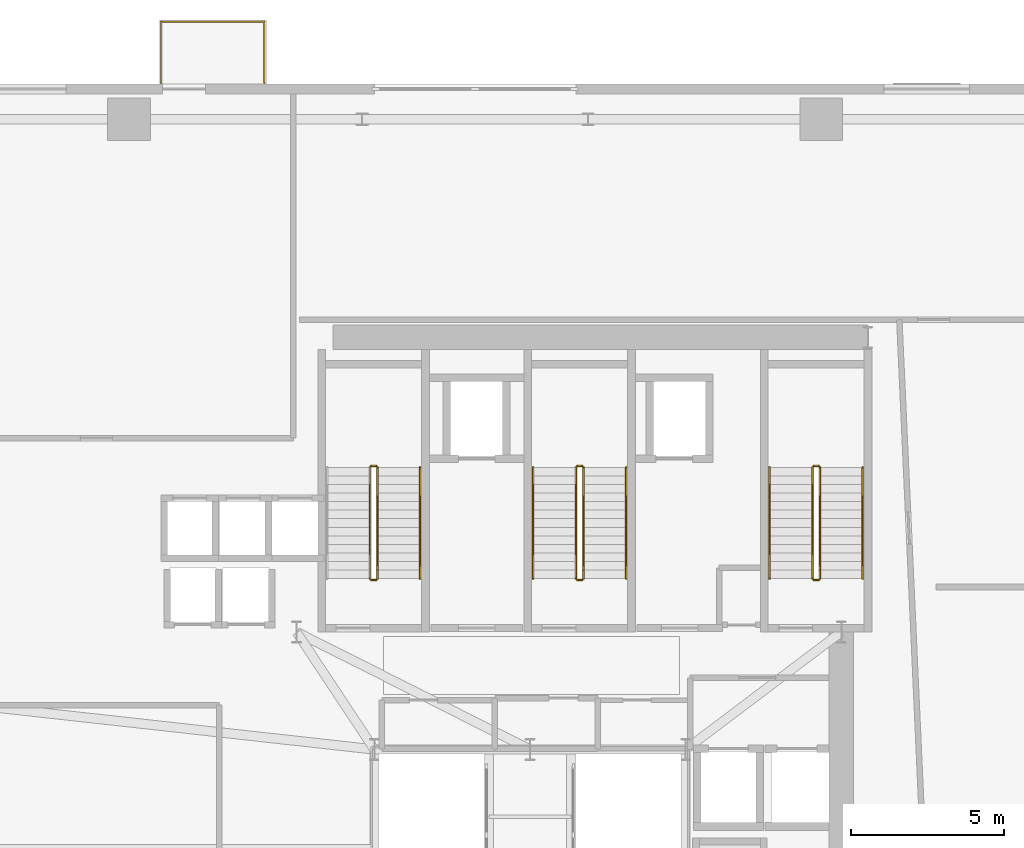
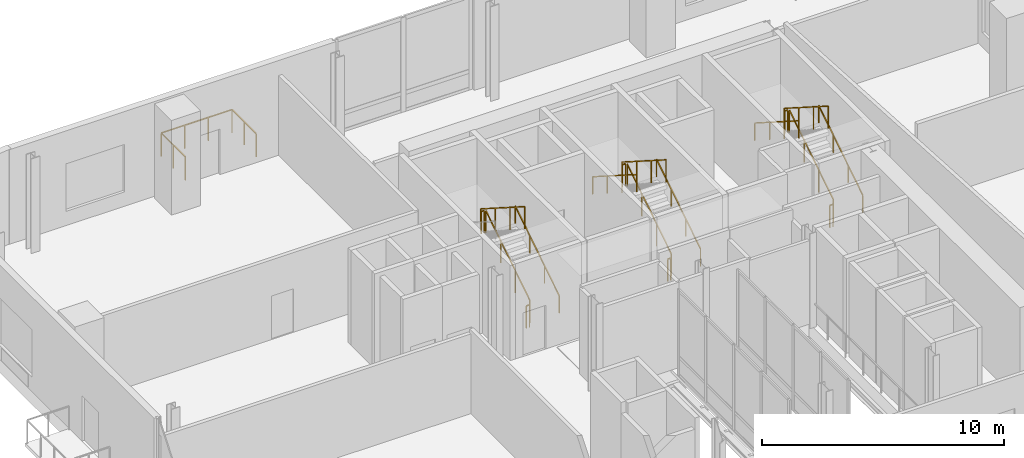
# One storey, part 13 of 14: 18 railings.
"""IFC4 building model written with IfcOpenShell, lengths in metres."""

import ifcopenshell
import ifcopenshell.guid

model = None  # the IFC model being written
_history = None  # IfcOwnerHistory: only IFC2X3 demands one
_inside = {}  # id of a spatial element -> (the spatial element, [elements in it])
_under = {}  # id of a project, library or spatial element -> (it, [spatial elements below it])
_declared = {}  # id of a project -> (the project, [libraries it declares])
_typed = {}  # id of a type object -> (the type object, [elements of that type])
_made_of = {}  # id of a material, layer set ... -> (it, [elements and type objects made of it])


def new_model(schema):
    """Start an empty IFC model of exactly this schema.

    Asked for "IFC4X3", IfcOpenShell would pick the latest addendum, in which some entities
    have other attributes; the version numbers below select the first issue.
    IFC2X3 requires an IfcOwnerHistory on every rooted entity: one is made here for all.
    """
    global model, _history
    if schema == "IFC4X3":
        model = ifcopenshell.file(schema_version=(4, 3, 0, 0))
    else:
        model = ifcopenshell.file(schema=schema)
    _inside.clear()
    _under.clear()
    _declared.clear()
    _typed.clear()
    _made_of.clear()
    _history = None
    if model.schema == "IFC2X3":
        org = make("IfcOrganization", Name="unknown")
        user = make(
            "IfcPersonAndOrganization",
            ThePerson=make("IfcPerson", FamilyName="unknown"),
            TheOrganization=org,
        )
        app = make(
            "IfcApplication",
            ApplicationDeveloper=org,
            Version="unknown",
            ApplicationFullName="unknown",
            ApplicationIdentifier="unknown",
        )
        _history = make(
            "IfcOwnerHistory",
            OwningUser=user,
            OwningApplication=app,
            ChangeAction="ADDED",
            CreationDate=0,
        )
    return model


def make(cls, **values):
    """One entity of the class cls with the attributes given. An attribute that is None is left unset."""
    return model.create_entity(
        cls, **{name: value for name, value in values.items() if value is not None}
    )


def rooted(cls, **values):
    """An entity with a GlobalId (a new one), such as an element, a storey or a relation."""
    return make(cls, GlobalId=ifcopenshell.guid.new(), OwnerHistory=_history, **values)


def si_unit(unit_type, name, prefix=None):
    """IfcSIUnit, for example si_unit("LENGTHUNIT", "METRE", prefix="MILLI")."""
    return make("IfcSIUnit", UnitType=unit_type, Prefix=prefix, Name=name)


def assignment(units):
    """IfcUnitAssignment: the units of a project."""
    return None if units is None else make("IfcUnitAssignment", Units=units)


def point(xyz):
    """IfcCartesianPoint."""
    return None if xyz is None else make("IfcCartesianPoint", Coordinates=xyz)


def direction(xyz):
    """IfcDirection."""
    return None if xyz is None else make("IfcDirection", DirectionRatios=xyz)


def frame(location, z_axis=None, x_axis=None):
    """IfcAxis2Placement3D, a coordinate frame: its origin and axes. An axis left out is left unset."""
    return make(
        "IfcAxis2Placement3D",
        Location=point(location),
        Axis=direction(z_axis),
        RefDirection=direction(x_axis),
    )


def frame_2d(location, x_axis=None):
    """IfcAxis2Placement2D, a coordinate frame in the plane: its origin and x axis."""
    return make(
        "IfcAxis2Placement2D", Location=point(location), RefDirection=direction(x_axis)
    )


def origin():
    """The frame at (0, 0, 0) with its axes left unset."""
    return frame((0.0, 0.0, 0.0))


def origin_2d():
    """The frame at (0, 0) in the plane with its x axis left unset."""
    return frame_2d((0.0, 0.0))


def place(relative_to, where):
    """IfcLocalPlacement: puts the frame where relative to a parent placement (None: the world)."""
    return make(
        "IfcLocalPlacement", PlacementRelTo=relative_to, RelativePlacement=where
    )


def context(
    kind, dimensions, precision=None, world=None, true_north=None, identifier=None
):
    """IfcGeometricRepresentationContext, for example the 3D "Model" context."""
    return make(
        "IfcGeometricRepresentationContext",
        ContextIdentifier=identifier,
        ContextType=kind,
        CoordinateSpaceDimension=dimensions,
        Precision=precision,
        WorldCoordinateSystem=world,
        TrueNorth=true_north,
    )


def subcontext(parent, identifier, kind, view, scale=None):
    """IfcGeometricRepresentationSubContext, for example "Body" below "Model"."""
    return make(
        "IfcGeometricRepresentationSubContext",
        ContextIdentifier=identifier,
        ContextType=kind,
        ParentContext=parent,
        TargetScale=scale,
        TargetView=view,
    )


def project(units=None, contexts=None):
    """IfcProject with its units and contexts."""
    return rooted(
        "IfcProject",
        Name="project",
        RepresentationContexts=contexts,
        UnitsInContext=assignment(units),
    )


def spatial(cls, under=None, at=None, **own):
    """A site, building, storey or space (cls), placed at a placement, below another one or the project."""
    s = rooted(cls, ObjectPlacement=at, **own)
    if under is not None:
        _under.setdefault(under.id(), (under, []))[1].append(s)
    return s


def profile(cls, at=None, kind="AREA", **sizes):
    """A parametric profile (cls). Its sizes go by their IFC names, for example OverallWidth=200.0."""
    return make(cls, ProfileType=kind, Position=at, **sizes)


def rectangle(**sizes):
    """IfcRectangleProfileDef."""
    return profile("IfcRectangleProfileDef", **sizes)


def extrude(swept, where, along, depth):
    """IfcExtrudedAreaSolid: the profile swept, set in the frame where, extruded along a direction by depth."""
    return make(
        "IfcExtrudedAreaSolid",
        SweptArea=swept,
        Position=where,
        ExtrudedDirection=direction(along),
        Depth=depth,
    )


def shape(context_of_items, identifier, shape_type, items):
    """IfcShapeRepresentation: the items that make up one representation, for example the "Body"."""
    return make(
        "IfcShapeRepresentation",
        ContextOfItems=context_of_items,
        RepresentationIdentifier=identifier,
        RepresentationType=shape_type,
        Items=items,
    )


def source(mapping_origin, context_of_items, identifier, shape_type, items):
    """IfcRepresentationMap: a shape defined once, which mapped items show again and again."""
    return make(
        "IfcRepresentationMap",
        MappingOrigin=mapping_origin,
        MappedRepresentation=shape(context_of_items, identifier, shape_type, items),
    )


def transform(
    local_origin,
    x_axis=None,
    y_axis=None,
    z_axis=None,
    scale=None,
    scale2=None,
    scale3=None,
    uniform=True,
):
    """IfcCartesianTransformationOperator3D, or its non-uniform kind. x_axis, y_axis, z_axis: its Axis1, 2, 3."""
    if uniform:
        return make(
            "IfcCartesianTransformationOperator3D",
            Axis1=direction(x_axis),
            Axis2=direction(y_axis),
            LocalOrigin=point(local_origin),
            Scale=scale,
            Axis3=direction(z_axis),
        )
    return make(
        "IfcCartesianTransformationOperator3DnonUniform",
        Axis1=direction(x_axis),
        Axis2=direction(y_axis),
        LocalOrigin=point(local_origin),
        Scale=scale,
        Axis3=direction(z_axis),
        Scale2=scale2,
        Scale3=scale3,
    )


def mapped(mapping_source, mapping_target):
    """IfcMappedItem: shows the shape of a source again, moved by a transform."""
    return make(
        "IfcMappedItem", MappingSource=mapping_source, MappingTarget=mapping_target
    )


def material(Name=None, Category=None):
    """IfcMaterial."""
    return make("IfcMaterial", Name=Name, Category=Category)


def made_of(thing, what):
    """Note that an element or type object is made of a material, layer set ...; save() writes the relation."""
    if what is not None:
        _made_of.setdefault(what.id(), (what, []))[1].append(thing)
    return thing


def type_object(cls, material=None, **own):
    """A type object (cls), such as IfcWallType, which elements share."""
    return made_of(rooted(cls, **own), material)


def element(
    cls,
    number,
    at=None,
    inside=None,
    cuts=None,
    type_object=None,
    material=None,
    context=None,
    identifier="Body",
    shape_type=None,
    held_by="IfcProductDefinitionShape",
    body=None,
    shapes=None,
    **own,
):
    """One element of the class cls, such as IfcWall. Its Tag is "e" and its number.

    at: its placement. inside: the storey or other place that contains it. cuts: it is an
    opening in that element (IfcRelVoidsElement). A single representation is given by context,
    identifier, shape_type and body (its items); several are given by shapes. held_by: the class
    of the entity that holds the representations. save() writes the other relations.
    """
    e = rooted(cls, Tag="e%d" % number, ObjectPlacement=at, **own)
    if body is not None:
        shapes = [shape(context, identifier, shape_type, body)]
    if shapes is not None:
        e.Representation = make(held_by, Representations=shapes)
    if inside is not None:
        _inside.setdefault(inside.id(), (inside, []))[1].append(e)
    if cuts is not None:
        rooted(
            "IfcRelVoidsElement", RelatingBuildingElement=cuts, RelatedOpeningElement=e
        )
    if type_object is not None:
        _typed.setdefault(type_object.id(), (type_object, []))[1].append(e)
    return made_of(e, material)


def aggregate(whole, parts):
    """IfcRelAggregates: a whole, such as a stair, and the parts it consists of."""
    return rooted("IfcRelAggregates", RelatingObject=whole, RelatedObjects=parts)


def save(model, path):
    """Write the relations noted so far, then the file.

    IfcRelAggregates (storeys below a building ...), IfcRelContainedInSpatialStructure (elements
    in a storey), IfcRelDefinesByType, IfcRelAssociatesMaterial and IfcRelDeclares: one each for
    every whole, place, type object, material and project.
    """
    for whole, parts in _under.values():
        aggregate(whole, parts)
    for where, things in _inside.values():
        rooted(
            "IfcRelContainedInSpatialStructure",
            RelatedElements=things,
            RelatingStructure=where,
        )
    for kind, things in _typed.values():
        rooted("IfcRelDefinesByType", RelatedObjects=things, RelatingType=kind)
    for what, things in _made_of.values():
        rooted("IfcRelAssociatesMaterial", RelatedObjects=things, RelatingMaterial=what)
    for by, libraries in _declared.values():
        rooted("IfcRelDeclares", RelatingContext=by, RelatedDefinitions=libraries)
    model.write(path)


model = new_model("IFC4")

# Units and contexts
model_context = context("Model", 3, precision=1e-05, world=origin(), true_north=direction((0.0, 1.0)))
body_context = subcontext(model_context, "Body", "Model", "MODEL_VIEW")
ifc_project = project(units=[si_unit("LENGTHUNIT", "METRE"), si_unit("AREAUNIT", "SQUARE_METRE"), si_unit("VOLUMEUNIT", "CUBIC_METRE"), si_unit("PLANEANGLEUNIT", "RADIAN"), si_unit("MASSUNIT", "GRAM", prefix="KILO")], contexts=[model_context])

# Site, building, storey
site_placement = place(None, origin())
site = spatial("IfcSite", under=ifc_project, at=site_placement, CompositionType="ELEMENT")
building_placement = place(site_placement, origin())
building = spatial("IfcBuilding", under=site, at=building_placement, Name="Vardaveli Station Tower", CompositionType="ELEMENT")
storey_placement = place(building_placement, frame((0.0, 0.0, 172.199951171875)))
storey = spatial("IfcBuildingStorey", under=building, at=storey_placement, Name="L44", CompositionType="ELEMENT", Elevation=172.199951171875)

# Railings
ifc_material_1 = material(Name="Laminated glass and stainless steel balustrade", Category="steel")
railing_type_1 = type_object("IfcRailingType", Name="RL-BAL-1200", PredefinedType="BALUSTRADE", material=ifc_material_1)
shared_shape_1 = source(origin(), body_context, "Body", "SweptSolid", [
    extrude(rectangle(XDim=0.048095703125, YDim=0.048095703125, at=origin_2d()), frame((0.0, 0.0, 1.17578125), z_axis=(0.0, 1.0, 0.0), x_axis=(-1.0, 0.0, 0.0)), (0.0, 0.0, 1.0), 2.0),
    extrude(rectangle(XDim=0.048095703125, YDim=0.048095703125, at=origin_2d()), frame((0.0, 2.0, 1.17578125), z_axis=(1.0, 0.0, 0.0), x_axis=(0.0, 1.0, 0.0)), (0.0, 0.0, 1.0), 3.3798828125),
    extrude(rectangle(XDim=0.048095703125, YDim=0.048095703125, at=origin_2d()), frame((3.3798828125, 2.0, 1.17578125), z_axis=(0.0, -1.0, 0.0), x_axis=(1.0, 0.0, 0.0)), (0.0, 0.0, 1.0), 2.0),
    extrude(rectangle(XDim=0.0419921875, YDim=0.0419921875, at=origin_2d()), origin(), (0.0, 0.0, 1.0), 1.15185546875),
    extrude(rectangle(XDim=0.0419921875, YDim=0.0419921875, at=origin_2d()), frame((0.0, 1.0, 0.0)), (0.0, 0.0, 1.0), 1.15185546875),
    extrude(rectangle(XDim=0.0419921875, YDim=0.0419921875, at=origin_2d()), frame((0.0, 2.0, 0.0)), (0.0, 0.0, 1.0), 1.15185546875),
    extrude(rectangle(XDim=0.0419921875, YDim=0.0419921875, at=origin_2d()), frame((1.126708984375, 2.0, 0.0)), (0.0, 0.0, 1.0), 1.15185546875),
    extrude(rectangle(XDim=0.0419921875, YDim=0.0419921875, at=origin_2d()), frame((2.253173828125, 2.0, 0.0)), (0.0, 0.0, 1.0), 1.15185546875),
    extrude(rectangle(XDim=0.0419921875, YDim=0.0419921875, at=origin_2d()), frame((3.3798828125, 2.0, 0.0)), (0.0, 0.0, 1.0), 1.15185546875),
    extrude(rectangle(XDim=0.0419921875, YDim=0.0419921875, at=origin_2d()), frame((3.3798828125, 1.0, 0.0)), (0.0, 0.0, 1.0), 1.15185546875),
    extrude(rectangle(XDim=0.0419921875, YDim=0.0419921875, at=origin_2d()), frame((3.3798828125, 0.0, 0.0)), (0.0, 0.0, 1.0), 1.15185546875),
])
railing_placement = place(storey_placement, frame((24.220458984375, 48.639892578125, 0.0)))
element("IfcRailing", 1, at=railing_placement, inside=storey, type_object=railing_type_1, Name="RL-LOG-L44-02", PredefinedType="BALUSTRADE", context=body_context, shape_type="MappedRepresentation", body=[
    mapped(shared_shape_1, transform((0.0, 0.0, 0.0), scale=1.0)),
])
ifc_material_2 = material(Name="Brushed AISI 316 stainless steel", Category="steel")
railing_type_2 = type_object("IfcRailingType", Name="RL-GUARD-1150", PredefinedType="GUARDRAIL", material=ifc_material_2)
shared_shape_2 = source(origin(), body_context, "Body", "SweptSolid", [
    extrude(rectangle(XDim=0.048095703125, YDim=0.048095703125, at=origin_2d()), frame((0.0, 0.0, 1.1259765625), z_axis=(-1.0, 0.0, 0.0), x_axis=(0.0, -1.0, 0.0)), (0.0, 0.0, 1.0), 0.14990234375),
    extrude(rectangle(XDim=0.0419921875, YDim=0.0419921875, at=origin_2d()), origin(), (0.0, 0.0, 1.0), 1.101806640625),
    extrude(rectangle(XDim=0.0419921875, YDim=0.0419921875, at=origin_2d()), frame((-0.14990234375, 0.0, 0.0)), (0.0, 0.0, 1.0), 1.101806640625),
])
for number, where, name in (
    (2, (31.25, 36.090087890625, 2.5), "L44 ST-1 stair guard 2"),
    (3, (31.25, 32.35009765625, 0.0), "L44 ST-1 stair guard 4"),
    (4, (38.0, 36.090087890625, 2.5), "L44 ST-2 stair guard 2"),
    (5, (38.0, 32.35009765625, 0.0), "L44 ST-2 stair guard 4"),
    (6, (45.75, 36.090087890625, 2.5), "L44 ST-3 stair guard 2"),
    (7, (45.75, 32.35009765625, 0.0), "L44 ST-3 stair guard 4"),
):
    element("IfcRailing", number, at=place(storey_placement, frame(where)), inside=storey, type_object=railing_type_2, Name=name, PredefinedType="GUARDRAIL", context=body_context, shape_type="MappedRepresentation", body=[
        mapped(shared_shape_2, transform((0.0, 0.0, 0.0), scale=1.0)),
    ])
shared_shape_3 = source(origin(), body_context, "Body", "SweptSolid", [
    extrude(rectangle(XDim=0.048095703125, YDim=0.048095703125, at=origin_2d()), frame((0.0, 0.0, 1.1259765625), z_axis=(0.0, 0.843153495434, 0.537672933239), x_axis=(-1.0, 0.0, 0.0)), (0.0, 0.0, 1.0), 4.3173828125),
    extrude(rectangle(XDim=0.0419921875, YDim=0.0419921875, at=origin_2d()), origin(), (0.0, 0.0, 1.0), 1.101806640625),
    extrude(rectangle(XDim=0.0419921875, YDim=0.0419921875, at=origin_2d()), frame((0.0, 1.21337890625, 0.773681640625)), (0.0, 0.0, 1.0), 1.101806640625),
    extrude(rectangle(XDim=0.0419921875, YDim=0.0419921875, at=origin_2d()), frame((0.0, 2.4267578125, 1.547607421875)), (0.0, 0.0, 1.0), 1.101806640625),
    extrude(rectangle(XDim=0.0419921875, YDim=0.0419921875, at=origin_2d()), frame((0.0, 3.64013671875, 2.3212890625)), (0.0, 0.0, 1.0), 1.101806640625),
])
for number, where, name in (
    (8, (31.300048828125, 32.39990234375, 0.1787109375), "L44 ST-1 stair guard 1"),
    (9, (38.050048828125, 32.39990234375, 0.1787109375), "L44 ST-2 stair guard 1"),
    (10, (45.800048828125, 32.39990234375, 0.1787109375), "L44 ST-3 stair guard 1"),
):
    element("IfcRailing", number, at=place(storey_placement, frame(where)), inside=storey, type_object=railing_type_2, Name=name, PredefinedType="GUARDRAIL", context=body_context, shape_type="MappedRepresentation", body=[
        mapped(shared_shape_3, transform((0.0, 0.0, 0.0), scale=1.0)),
    ])
shared_shape_4 = source(origin(), body_context, "Body", "SweptSolid", [
    extrude(rectangle(XDim=0.048095703125, YDim=0.048095703125, at=origin_2d()), frame((0.0, 0.0, 1.1259765625), z_axis=(0.0, -0.843153495434, 0.537672933239), x_axis=(1.0, 0.0, 0.0)), (0.0, 0.0, 1.0), 4.3173828125),
    extrude(rectangle(XDim=0.0419921875, YDim=0.0419921875, at=origin_2d()), origin(), (0.0, 0.0, 1.0), 1.101806640625),
    extrude(rectangle(XDim=0.0419921875, YDim=0.0419921875, at=origin_2d()), frame((0.0, -1.21337890625, 0.773681640625)), (0.0, 0.0, 1.0), 1.101806640625),
    extrude(rectangle(XDim=0.0419921875, YDim=0.0419921875, at=origin_2d()), frame((0.0, -2.4267578125, 1.547607421875)), (0.0, 0.0, 1.0), 1.101806640625),
    extrude(rectangle(XDim=0.0419921875, YDim=0.0419921875, at=origin_2d()), frame((0.0, -3.64013671875, 2.3212890625)), (0.0, 0.0, 1.0), 1.101806640625),
])
for number, where, name in (
    (11, (31.050048828125, 36.0400390625, 2.6787109375), "L44 ST-1 stair guard 3"),
    (12, (37.800048828125, 36.0400390625, 2.6787109375), "L44 ST-2 stair guard 3"),
    (13, (45.550048828125, 36.0400390625, 2.6787109375), "L44 ST-3 stair guard 3"),
):
    element("IfcRailing", number, at=place(storey_placement, frame(where)), inside=storey, type_object=railing_type_2, Name=name, PredefinedType="GUARDRAIL", context=body_context, shape_type="MappedRepresentation", body=[
        mapped(shared_shape_4, transform((0.0, 0.0, 0.0), scale=1.0)),
    ])
railing_type_3 = type_object("IfcRailingType", Name="RL-HAND-900", PredefinedType="HANDRAIL", material=ifc_material_2)
shared_shape_5 = source(origin(), body_context, "Body", "SweptSolid", [
    extrude(rectangle(XDim=0.048095703125, YDim=0.048095703125, at=origin_2d()), frame((0.0, 0.0, 0.8759765625), z_axis=(0.0, 0.843153495434, 0.537672933239), x_axis=(-1.0, 0.0, 0.0)), (0.0, 0.0, 1.0), 4.3173828125),
    extrude(rectangle(XDim=0.0419921875, YDim=0.0419921875, at=origin_2d()), origin(), (0.0, 0.0, 1.0), 0.851806640625),
    extrude(rectangle(XDim=0.0419921875, YDim=0.0419921875, at=origin_2d()), frame((0.0, 1.21337890625, 0.773681640625)), (0.0, 0.0, 1.0), 0.851806640625),
    extrude(rectangle(XDim=0.0419921875, YDim=0.0419921875, at=origin_2d()), frame((0.0, 2.4267578125, 1.547607421875)), (0.0, 0.0, 1.0), 0.851806640625),
    extrude(rectangle(XDim=0.0419921875, YDim=0.0419921875, at=origin_2d()), frame((0.0, 3.64013671875, 2.3212890625)), (0.0, 0.0, 1.0), 0.851806640625),
])
for number, where, name in (
    (14, (32.699951171875, 32.39990234375, 0.1787109375), "L44 ST-1 stair handrail 1"),
    (15, (39.449951171875, 32.39990234375, 0.1787109375), "L44 ST-2 stair handrail 1"),
    (16, (47.199951171875, 32.39990234375, 0.1787109375), "L44 ST-3 stair handrail 1"),
):
    element("IfcRailing", number, at=place(storey_placement, frame(where)), inside=storey, type_object=railing_type_3, Name=name, PredefinedType="HANDRAIL", context=body_context, shape_type="MappedRepresentation", body=[
        mapped(shared_shape_5, transform((0.0, 0.0, 0.0), scale=1.0)),
    ])
shared_shape_6 = source(origin(), body_context, "Body", "SweptSolid", [
    extrude(rectangle(XDim=0.048095703125, YDim=0.048095703125, at=origin_2d()), frame((0.0, 0.0, 0.8759765625), z_axis=(0.0, -0.843153495434, 0.537672933239), x_axis=(1.0, 0.0, 0.0)), (0.0, 0.0, 1.0), 4.3173828125),
    extrude(rectangle(XDim=0.0419921875, YDim=0.0419921875, at=origin_2d()), origin(), (0.0, 0.0, 1.0), 0.851806640625),
    extrude(rectangle(XDim=0.0419921875, YDim=0.0419921875, at=origin_2d()), frame((0.0, -1.21337890625, 0.773681640625)), (0.0, 0.0, 1.0), 0.851806640625),
    extrude(rectangle(XDim=0.0419921875, YDim=0.0419921875, at=origin_2d()), frame((0.0, -2.4267578125, 1.547607421875)), (0.0, 0.0, 1.0), 0.851806640625),
    extrude(rectangle(XDim=0.0419921875, YDim=0.0419921875, at=origin_2d()), frame((0.0, -3.64013671875, 2.3212890625)), (0.0, 0.0, 1.0), 0.851806640625),
])
for number, where, name in (
    (17, (36.39990234375, 36.0400390625, 2.6787109375), "L44 ST-2 stair handrail 2"),
    (18, (44.14990234375, 36.0400390625, 2.6787109375), "L44 ST-3 stair handrail 2"),
):
    element("IfcRailing", number, at=place(storey_placement, frame(where)), inside=storey, type_object=railing_type_3, Name=name, PredefinedType="HANDRAIL", context=body_context, shape_type="MappedRepresentation", body=[
        mapped(shared_shape_6, transform((0.0, 0.0, 0.0), scale=1.0)),
    ])

save(model, "model.ifc")
